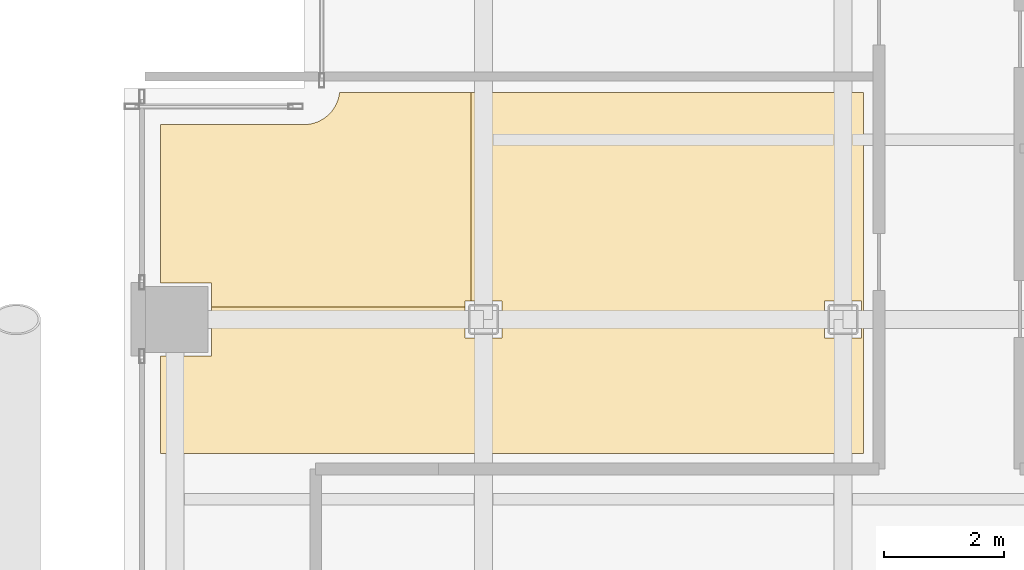
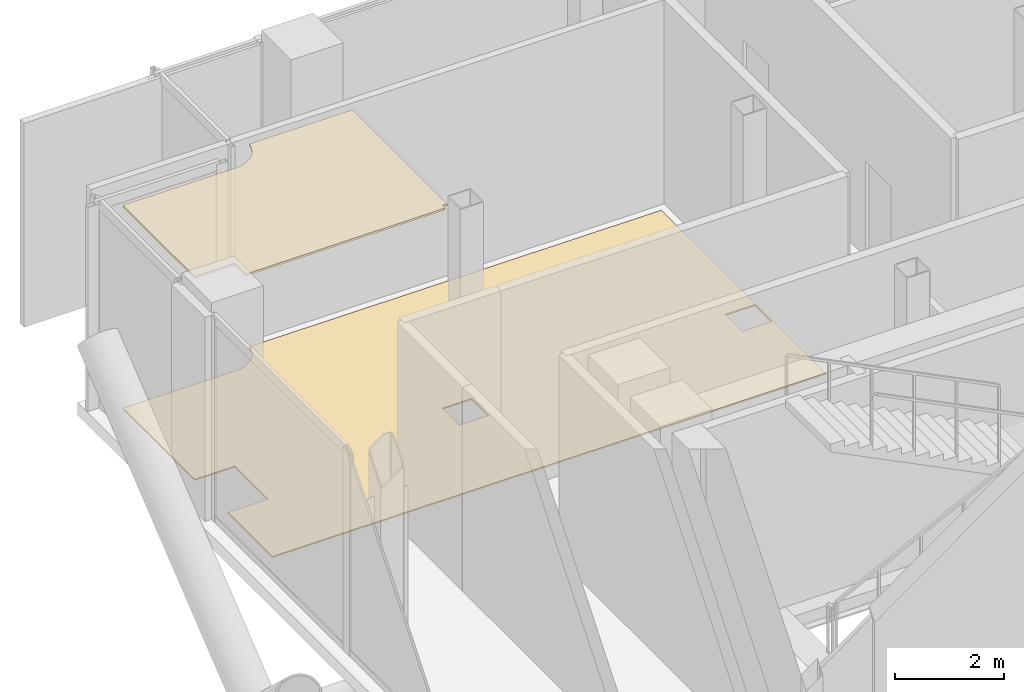
# One storey, part 25 of 25: 2 coverings.
"""IFC4 building model written with IfcOpenShell, lengths in metres."""

from ifc_helpers import new_model, si_unit, direction, frame, origin, place, context, subcontext, project, spatial, polyline, outline, extrude, material, layer, layer_set, type_object, element, save


model = new_model("IFC4")

# Units and contexts
model_context = context("Model", 3, precision=1e-05, world=origin(), true_north=direction((0.0, 1.0)))
body_context = subcontext(model_context, "Body", "Model", "MODEL_VIEW")
ifc_project = project(units=[si_unit("LENGTHUNIT", "METRE"), si_unit("AREAUNIT", "SQUARE_METRE"), si_unit("VOLUMEUNIT", "CUBIC_METRE"), si_unit("PLANEANGLEUNIT", "RADIAN"), si_unit("MASSUNIT", "GRAM", prefix="KILO"), si_unit("THERMODYNAMICTEMPERATUREUNIT", "KELVIN"), si_unit("POWERUNIT", "WATT")], contexts=[model_context])

# Site, building, storey
site_placement = place(None, origin())
site = spatial("IfcSite", under=ifc_project, at=site_placement, CompositionType="ELEMENT")
building_placement = place(site_placement, origin())
building = spatial("IfcBuilding", under=site, at=building_placement, Name="Svarakhadi Broadcast Tower", CompositionType="ELEMENT")
storey_placement = place(building_placement, frame((0.0, 0.0, 110.85009765625)))
storey = spatial("IfcBuildingStorey", under=building, at=storey_placement, Name="L26", CompositionType="ELEMENT", Elevation=110.85009765625)

# Coverings
ifc_material_1 = material(Name="Anodised Bronze Aluminium Linear Acoustic Baffle", Category="aluminium")
ifc_layer_1 = layer(ifc_material_1, 0.044921875)
ifc_layer_set_1 = layer_set([ifc_layer_1], Name="Anodised Bronze Aluminium Linear Acoustic Baffle")
covering_type_1 = type_object("IfcCoveringType", Name="Cov_Ceiling_Baffle", PredefinedType="CEILING", material=ifc_layer_set_1)
covering_1_placement = place(storey_placement, frame((0.0, 0.0, 4.52978515625)))
element("IfcCovering", 1, at=covering_1_placement, inside=storey, type_object=covering_type_1, Name="L26 L26 Staff Wellness Quiet Lounge Acoustic Ceiling", PredefinedType="CEILING", context=body_context, shape_type="SweptSolid", body=[
    extrude(outline(polyline([(5.7900390625, 38.93994140625), (5.7900390625, 35.4599609375), (5.68994140625, 35.4599609375), (5.68994140625, 35.360107421875), (1.4599609375, 35.360107421875), (1.4599609375, 35.760009765625), (0.610107421875, 35.760009765625), (0.610107421875, 38.39990234375), (3.0, 38.39990234375), (3.009033203125, 38.39990234375), (3.050048828125, 38.402099609375), (3.06689453125, 38.404052734375), (3.10791015625, 38.409912109375), (3.1259765625, 38.4130859375), (3.166015625, 38.423095703125), (3.18310546875, 38.428955078125), (3.221923828125, 38.443115234375), (3.239990234375, 38.449951171875), (3.277099609375, 38.468017578125), (3.291015625, 38.47607421875), (3.325927734375, 38.4970703125), (3.339111328125, 38.5048828125), (3.3720703125, 38.529052734375), (3.386962890625, 38.541015625), (3.41796875, 38.569091796875), (3.430908203125, 38.58203125), (3.458984375, 38.613037109375), (3.470947265625, 38.6279296875), (3.4951171875, 38.660888671875), (3.5029296875, 38.674072265625), (3.52392578125, 38.708984375), (3.531982421875, 38.722900390625), (3.550048828125, 38.760009765625), (3.556884765625, 38.778076171875), (3.571044921875, 38.81689453125), (3.576904296875, 38.833984375), (3.5869140625, 38.8740234375), (3.590087890625, 38.89208984375), (3.595947265625, 38.93310546875), (3.596923828125, 38.93994140625), (5.7900390625, 38.93994140625)])), origin(), (0.0, 0.0, 1.0), 0.045166015625),
])
ifc_material_2 = material(Name="Polished White Marble-Chip Terrazzo Flooring", Category="masonry")
ifc_layer_2 = layer(ifc_material_2, 0.030029296875)
ifc_layer_set_2 = layer_set([ifc_layer_2], Name="Polished White Marble-Chip Terrazzo Flooring")
covering_type_2 = type_object("IfcCoveringType", Name="Cov_Floor_Terrazzo", PredefinedType="FLOORING", material=ifc_layer_set_2)
covering_2_placement = place(storey_placement, origin())
element("IfcCovering", 2, at=covering_2_placement, inside=storey, type_object=covering_type_2, Name="L26 L26 Staff Wellness Quiet Lounge Floor Finish", PredefinedType="FLOORING", context=body_context, shape_type="SweptSolid", body=[
    extrude(outline(polyline([(12.340087890625, 38.93994140625), (12.340087890625, 32.909912109375), (0.610107421875, 32.909912109375), (0.610107421875, 34.5400390625), (1.4599609375, 34.5400390625), (1.4599609375, 35.760009765625), (0.610107421875, 35.760009765625), (0.610107421875, 38.39990234375), (3.0, 38.39990234375), (3.009033203125, 38.39990234375), (3.050048828125, 38.402099609375), (3.06689453125, 38.404052734375), (3.10791015625, 38.409912109375), (3.1259765625, 38.4130859375), (3.166015625, 38.423095703125), (3.18310546875, 38.428955078125), (3.221923828125, 38.443115234375), (3.239990234375, 38.449951171875), (3.277099609375, 38.468017578125), (3.291015625, 38.47607421875), (3.325927734375, 38.4970703125), (3.339111328125, 38.5048828125), (3.3720703125, 38.529052734375), (3.386962890625, 38.541015625), (3.41796875, 38.569091796875), (3.430908203125, 38.58203125), (3.458984375, 38.613037109375), (3.470947265625, 38.6279296875), (3.4951171875, 38.660888671875), (3.5029296875, 38.674072265625), (3.52392578125, 38.708984375), (3.531982421875, 38.722900390625), (3.550048828125, 38.760009765625), (3.556884765625, 38.778076171875), (3.571044921875, 38.81689453125), (3.576904296875, 38.833984375), (3.5869140625, 38.8740234375), (3.590087890625, 38.89208984375), (3.595947265625, 38.93310546875), (3.596923828125, 38.93994140625), (12.340087890625, 38.93994140625)]), holes=[polyline([(6.31005859375, 34.840087890625), (6.31005859375, 35.4599609375), (5.68994140625, 35.4599609375), (5.68994140625, 34.840087890625), (6.31005859375, 34.840087890625)]), polyline([(11.68994140625, 34.840087890625), (12.31005859375, 34.840087890625), (12.31005859375, 35.4599609375), (11.68994140625, 35.4599609375), (11.68994140625, 34.840087890625)])]), origin(), (0.0, 0.0, 1.0), 0.02978515625),
])

save(model, "model.ifc")
